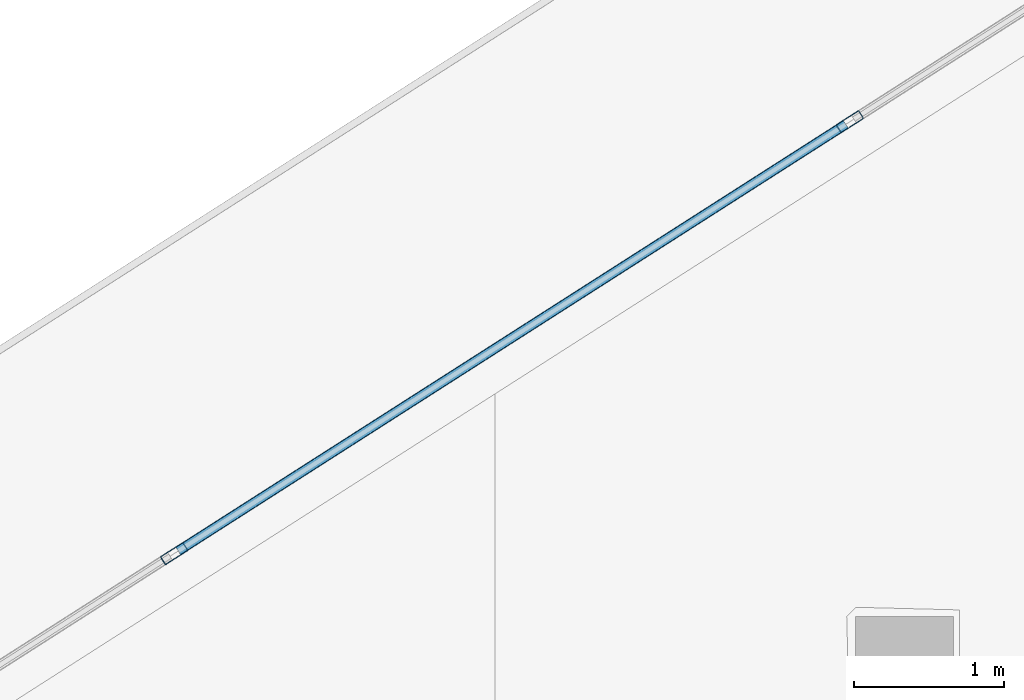
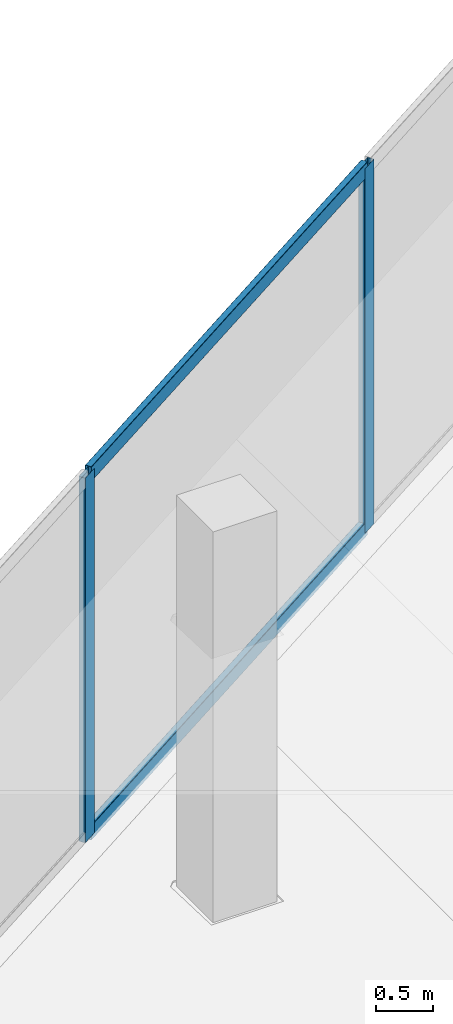
# One storey, part 18 of 43: 4 members, 1 element without a shape of its own.
"""IFC4 building model written with IfcOpenShell, lengths in metres."""

from ifc_helpers import new_model, si_unit, direction, frame, origin, origin_2d, place, context, subcontext, project, spatial, hollow_rectangle, extrude, material, layer, layer_set, material_profile, profile_set, type_object, element, aggregate, save


model = new_model("IFC4")

# Units and contexts
model_context = context("Model", 3, precision=1e-05, world=origin(), true_north=direction((0.0, 1.0)))
body_context = subcontext(model_context, "Body", "Model", "MODEL_VIEW")
ifc_project = project(units=[si_unit("LENGTHUNIT", "METRE"), si_unit("AREAUNIT", "SQUARE_METRE"), si_unit("VOLUMEUNIT", "CUBIC_METRE"), si_unit("PLANEANGLEUNIT", "RADIAN"), si_unit("MASSUNIT", "GRAM", prefix="KILO")], contexts=[model_context])

# Site, building, storey
site_placement = place(None, origin())
site = spatial("IfcSite", under=ifc_project, at=site_placement, CompositionType="ELEMENT")
building_placement = place(site_placement, origin())
building = spatial("IfcBuilding", under=site, at=building_placement, Name="Qorvath Tower", CompositionType="ELEMENT")
storey_placement = place(building_placement, frame((0.0, 0.0, 36.60009765625)))
storey = spatial("IfcBuildingStorey", under=building, at=storey_placement, Name="L07", CompositionType="ELEMENT", Elevation=36.60009765625)

# Curtain wall, members
ifc_material_1 = material(Name="Anodised aluminium and triple low-E glass", Category="aluminium")
ifc_layer = layer(ifc_material_1, 0.179931640625)
ifc_layer_set = layer_set([ifc_layer], Name="CW-SYS-2")
curtain_wall_type = type_object("IfcCurtainWallType", Name="CW-SYS-2", PredefinedType="NOTDEFINED", material=ifc_layer_set)
curtain_wall_placement = place(storey_placement, origin())
curtain_wall = element("IfcCurtainWall", 1, at=curtain_wall_placement, inside=storey, type_object=curtain_wall_type, Name="Curtain Wall CW-2 CW-T-L07-16.2", PredefinedType="NOTDEFINED")
ifc_material_2 = material(Name="Anodised aluminium 6063-T6", Category="aluminium")
ifc_material_profile_1 = material_profile(ifc_material_2, hollow_rectangle(XDim=0.06494140625, YDim=0.179931640625, WallThickness=0.00341796875, InnerFilletRadius=0.00341796875, OuterFilletRadius=0.007080078125, at=origin_2d()), Name="CWM 180x65")
ifc_profile_set_1 = profile_set([ifc_material_profile_1], Name="Anodised aluminium 6063-T6")
member_type_1 = type_object("IfcMemberType", Name="CWM-180", PredefinedType="MULLION", material=ifc_profile_set_1)
member_1_placement = place(storey_placement, frame((-31.38037109375, 23.080810546875, 0.0), z_axis=(0.0, 0.0, 1.0), x_axis=(0.538534725955, -0.842603316479, 0.0)))
member_1 = element("IfcMember", 2, at=member_1_placement, type_object=member_type_1, Name="CW-2 mullion 3", PredefinedType="MULLION", context=body_context, shape_type="SweptSolid", body=[
    extrude(hollow_rectangle(XDim=0.06494140625, YDim=0.179931640625, WallThickness=0.00341796875, InnerFilletRadius=0.00341796875, OuterFilletRadius=0.007080078125, at=origin_2d()), origin(), (0.0, 0.0, 1.0), 3.919921875),
])
member_2_placement = place(storey_placement, frame((-35.882568359375, 20.203125, 0.0), z_axis=(0.0, 0.0, 1.0), x_axis=(0.538534725955, -0.842603316479, 0.0)))
member_2 = element("IfcMember", 3, at=member_2_placement, type_object=member_type_1, Name="CW-2 mullion 4", PredefinedType="MULLION", context=body_context, shape_type="SweptSolid", body=[
    extrude(hollow_rectangle(XDim=0.06494140625, YDim=0.179931640625, WallThickness=0.00341796875, InnerFilletRadius=0.00341796875, OuterFilletRadius=0.007080078125, at=origin_2d()), origin(), (0.0, 0.0, 1.0), 3.919921875),
])
ifc_material_3 = material(Name="Anodised aluminium 6063-T6", Category="aluminium")
ifc_material_profile_2 = material_profile(ifc_material_3, hollow_rectangle(XDim=0.06494140625, YDim=0.159912109375, WallThickness=0.00341796875, InnerFilletRadius=0.00341796875, OuterFilletRadius=0.007080078125, at=origin_2d()), Name="CWT 160x65")
ifc_profile_set_2 = profile_set([ifc_material_profile_2], Name="Anodised aluminium 6063-T6")
member_type_2 = type_object("IfcMemberType", Name="CWT-160", PredefinedType="USERDEFINED", material=ifc_profile_set_2)
member_3_placement = place(storey_placement, frame((-31.40771484375, 23.063232421875, 0.032470703125), z_axis=(-0.842604728555, -0.538532516582, 0.0), x_axis=(0.538532516582, -0.842604728555, 0.0)))
member_3 = element("IfcMember", 4, at=member_3_placement, type_object=member_type_2, Name="CW-2 transom 3.1", ObjectType="TRANSOM", PredefinedType="USERDEFINED", context=body_context, shape_type="SweptSolid", body=[
    extrude(hollow_rectangle(XDim=0.06494140625, YDim=0.159912109375, WallThickness=0.00341796875, InnerFilletRadius=0.00341796875, OuterFilletRadius=0.007080078125, at=origin_2d()), origin(), (0.0, 0.0, 1.0), 5.2783203125),
])
member_4_placement = place(storey_placement, frame((-31.40771484375, 23.063232421875, 3.887451171875), z_axis=(-0.842604728555, -0.538532516582, 0.0), x_axis=(0.538532516582, -0.842604728555, 0.0)))
member_4 = element("IfcMember", 5, at=member_4_placement, type_object=member_type_2, Name="CW-2 transom 3.2", ObjectType="TRANSOM", PredefinedType="USERDEFINED", context=body_context, shape_type="SweptSolid", body=[
    extrude(hollow_rectangle(XDim=0.06494140625, YDim=0.159912109375, WallThickness=0.00341796875, InnerFilletRadius=0.00341796875, OuterFilletRadius=0.007080078125, at=origin_2d()), origin(), (0.0, 0.0, 1.0), 5.2783203125),
])
aggregate(curtain_wall, [member_1, member_2, member_3, member_4])

save(model, "model.ifc")
